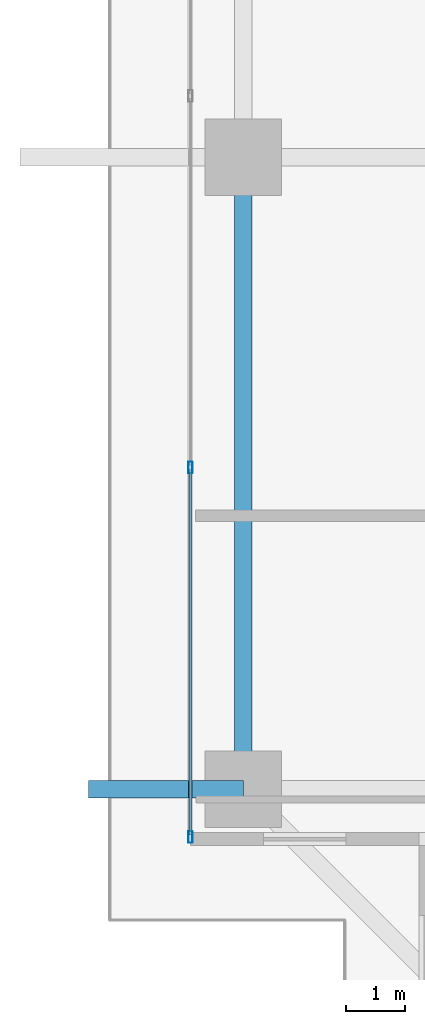
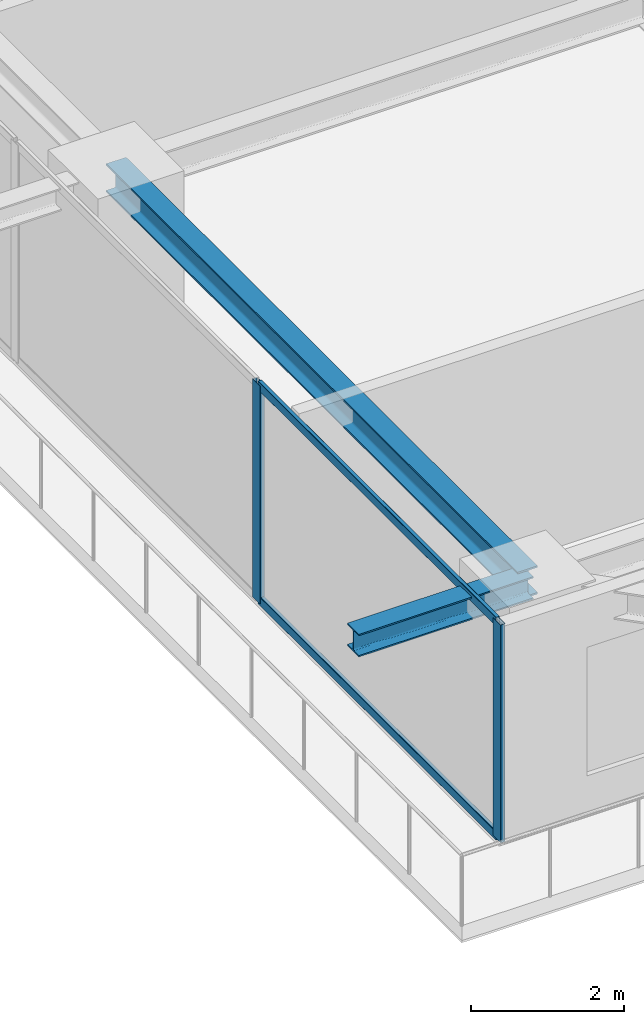
# One storey, part 3 of 33: 4 members, 2 beams, 1 element without a shape of its own.
"""IFC4 building model written with IfcOpenShell, lengths in metres."""

from ifc_helpers import new_model, si_unit, direction, frame, origin, origin_2d, place, context, subcontext, project, spatial, hollow_rectangle, i_section, extrude, source, transform, mapped, material, layer, layer_set, material_profile, profile_set, type_object, element, aggregate, save


model = new_model("IFC4")

# Units and contexts
model_context = context("Model", 3, precision=1e-05, world=origin(), true_north=direction((0.0, 1.0)))
body_context = subcontext(model_context, "Body", "Model", "MODEL_VIEW")
ifc_project = project(units=[si_unit("LENGTHUNIT", "METRE"), si_unit("AREAUNIT", "SQUARE_METRE"), si_unit("VOLUMEUNIT", "CUBIC_METRE"), si_unit("PLANEANGLEUNIT", "RADIAN"), si_unit("MASSUNIT", "GRAM", prefix="KILO")], contexts=[model_context])

# Site, building, storey
site_placement = place(None, origin())
site = spatial("IfcSite", under=ifc_project, at=site_placement, CompositionType="ELEMENT")
building_placement = place(site_placement, origin())
building = spatial("IfcBuilding", under=site, at=building_placement, Name="Serunith Strait Residences", CompositionType="ELEMENT")
storey_placement = place(building_placement, frame((0.0, 0.0, 150.14990234375)))
storey = spatial("IfcBuildingStorey", under=building, at=storey_placement, Name="L37", CompositionType="ELEMENT", Elevation=150.14990234375)

# Beams
ifc_material_1 = material(Name="Steel S355J2", Category="steel")
ifc_material_profile_1 = material_profile(ifc_material_1, i_section(OverallWidth=0.300048828125, OverallDepth=0.449951171875, WebThickness=0.013916015625, FlangeThickness=0.02587890625, FilletRadius=0.027099609375, at=origin_2d()), Name="HEB 450")
ifc_profile_set_1 = profile_set([ifc_material_profile_1], Name="Steel S355J2")
beam_type_1 = type_object("IfcBeamType", Name="BM-HEB450", PredefinedType="BEAM", material=ifc_profile_set_1)
shared_shape_1 = source(origin(), body_context, "Body", "SweptSolid", [
    extrude(i_section(OverallWidth=0.300048828125, OverallDepth=0.449951171875, WebThickness=0.013916015625, FlangeThickness=0.02587890625, FilletRadius=0.027099609375, at=origin_2d()), origin(), (0.0, 0.0, 1.0), 10.75),
])
beam_1_placement = place(storey_placement, frame((8.699951171875, 21.0, 3.26220703125), z_axis=(0.0, -1.0, 0.0), x_axis=(1.0, 0.0, 0.0)))
element("IfcBeam", 1, at=beam_1_placement, inside=storey, type_object=beam_type_1, Name="L37 Perimeter Ring Beam 15", PredefinedType="BEAM", context=body_context, shape_type="MappedRepresentation", body=[
    mapped(shared_shape_1, transform((0.0, 0.0, 0.0), scale=1.0)),
])
ifc_material_profile_2 = material_profile(ifc_material_1, i_section(OverallWidth=0.300048828125, OverallDepth=0.360107421875, WebThickness=0.012451171875, FlangeThickness=0.0224609375, FilletRadius=0.027099609375, at=origin_2d()), Name="HEB 360")
ifc_profile_set_2 = profile_set([ifc_material_profile_2], Name="Steel S355J2")
beam_type_2 = type_object("IfcBeamType", Name="BM-HEB360", PredefinedType="BEAM", material=ifc_profile_set_2)
shared_shape_2 = source(origin(), body_context, "Body", "SweptSolid", [
    extrude(i_section(OverallWidth=0.300048828125, OverallDepth=0.360107421875, WebThickness=0.012451171875, FlangeThickness=0.0224609375, FilletRadius=0.027099609375, at=origin_2d()), origin(), (0.0, 0.0, 1.0), 2.63134765625),
])
beam_2_placement = place(storey_placement, frame((8.699951171875, 10.25, 3.277099609375), z_axis=(-1.0, 0.0, 0.0), x_axis=(0.0, -1.0, 0.0)))
element("IfcBeam", 2, at=beam_2_placement, inside=storey, type_object=beam_type_2, Name="L38 Cantilevered Balcony Rib TC-W1", PredefinedType="BEAM", context=body_context, shape_type="MappedRepresentation", body=[
    mapped(shared_shape_2, transform((0.0, 0.0, 0.0), scale=1.0)),
])

# Curtain wall, members
ifc_material_2 = material(Name="Pale-Champagne Anodised Aluminium", Category="aluminium")
ifc_layer = layer(ifc_material_2, 0.199951171875, Name="Pale-Champagne Anodised Aluminium")
ifc_layer_set = layer_set([ifc_layer], Name="Pale-Champagne Anodised Aluminium")
curtain_wall_type = type_object("IfcCurtainWallType", Name="CW-SYS2", PredefinedType="NOTDEFINED", material=ifc_layer_set)
curtain_wall_placement = place(storey_placement, origin())
curtain_wall = element("IfcCurtainWall", 3, at=curtain_wall_placement, inside=storey, type_object=curtain_wall_type, Name="L37 W Unitised Fritted Curtain Wall", PredefinedType="NOTDEFINED")
ifc_material_profile_3 = material_profile(ifc_material_2, hollow_rectangle(XDim=0.070068359375, YDim=0.199951171875, WallThickness=0.00390625, InnerFilletRadius=0.006103515625, OuterFilletRadius=0.010009765625, at=origin_2d()), Name="ALU 200x70x4")
ifc_profile_set_3 = profile_set([ifc_material_profile_3], Name="Pale-Champagne Anodised Aluminium")
member_type_1 = type_object("IfcMemberType", Name="CW-SYS2-MULL", PredefinedType="MULLION", material=ifc_profile_set_3)
shared_shape_3 = source(origin(), body_context, "Body", "SweptSolid", [
    extrude(hollow_rectangle(XDim=0.070068359375, YDim=0.199951171875, WallThickness=0.00390625, InnerFilletRadius=0.006103515625, OuterFilletRadius=0.010009765625, at=origin_2d()), origin(), (0.0, 0.0, 1.0), 3.47509765625),
])
member_1_placement = place(storey_placement, frame((7.800048828125, 15.719970703125, 0.0), z_axis=(0.0, 0.0, 1.0), x_axis=(1.0, 0.0, 0.0)))
member_1 = element("IfcMember", 4, at=member_1_placement, type_object=member_type_1, Name="CW-2 mullion 5", PredefinedType="MULLION", context=body_context, shape_type="MappedRepresentation", body=[
    mapped(shared_shape_3, transform((0.0, 0.0, 0.0), scale=1.0)),
])
member_2_placement = place(storey_placement, frame((7.800048828125, 9.43505859375, 0.0), z_axis=(0.0, 0.0, 1.0), x_axis=(1.0, 0.0, 0.0)))
member_2 = element("IfcMember", 5, at=member_2_placement, type_object=member_type_1, Name="CW-2 mullion 6", PredefinedType="MULLION", context=body_context, shape_type="MappedRepresentation", body=[
    mapped(shared_shape_3, transform((0.0, 0.0, 0.0), scale=1.0)),
])
ifc_material_profile_4 = material_profile(ifc_material_2, hollow_rectangle(XDim=0.06005859375, YDim=0.139892578125, WallThickness=0.00341796875, InnerFilletRadius=0.00537109375, OuterFilletRadius=0.0087890625, at=origin_2d()), Name="ALU 140x60x3.5")
ifc_profile_set_4 = profile_set([ifc_material_profile_4], Name="Pale-Champagne Anodised Aluminium")
member_type_2 = type_object("IfcMemberType", Name="CW-SYS2-TRAN", PredefinedType="USERDEFINED", material=ifc_profile_set_4)
shared_shape_4 = source(origin(), body_context, "Body", "SweptSolid", [
    extrude(hollow_rectangle(XDim=0.06005859375, YDim=0.139892578125, WallThickness=0.00341796875, InnerFilletRadius=0.00537109375, OuterFilletRadius=0.0087890625, at=origin_2d()), origin(), (0.0, 0.0, 1.0), 6.215087890625),
])
member_3_placement = place(storey_placement, frame((7.800048828125, 15.68505859375, 0.030029296875), z_axis=(0.0, -1.0, 0.0), x_axis=(1.0, 0.0, 0.0)))
member_3 = element("IfcMember", 6, at=member_3_placement, type_object=member_type_2, Name="CW-2 transom 5.1", ObjectType="TRANSOM", PredefinedType="USERDEFINED", context=body_context, shape_type="MappedRepresentation", body=[
    mapped(shared_shape_4, transform((0.0, 0.0, 0.0), scale=1.0)),
])
member_4_placement = place(storey_placement, frame((7.800048828125, 15.68505859375, 3.445068359375), z_axis=(0.0, -1.0, 0.0), x_axis=(1.0, 0.0, 0.0)))
member_4 = element("IfcMember", 7, at=member_4_placement, type_object=member_type_2, Name="CW-2 transom 5.2", ObjectType="TRANSOM", PredefinedType="USERDEFINED", context=body_context, shape_type="MappedRepresentation", body=[
    mapped(shared_shape_4, transform((0.0, 0.0, 0.0), scale=1.0)),
])
aggregate(curtain_wall, [member_1, member_2, member_3, member_4])

save(model, "model.ifc")
